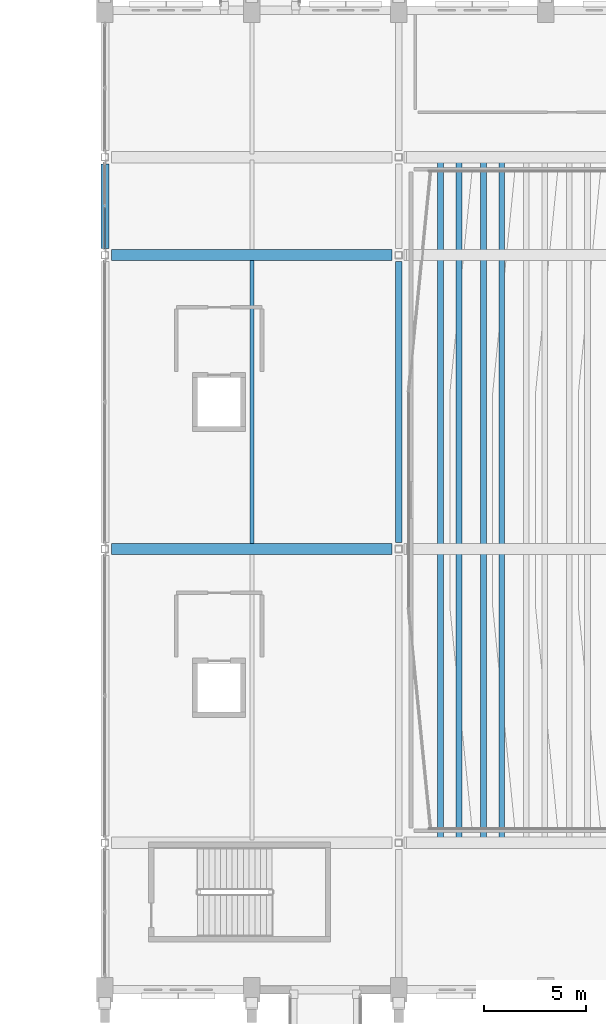
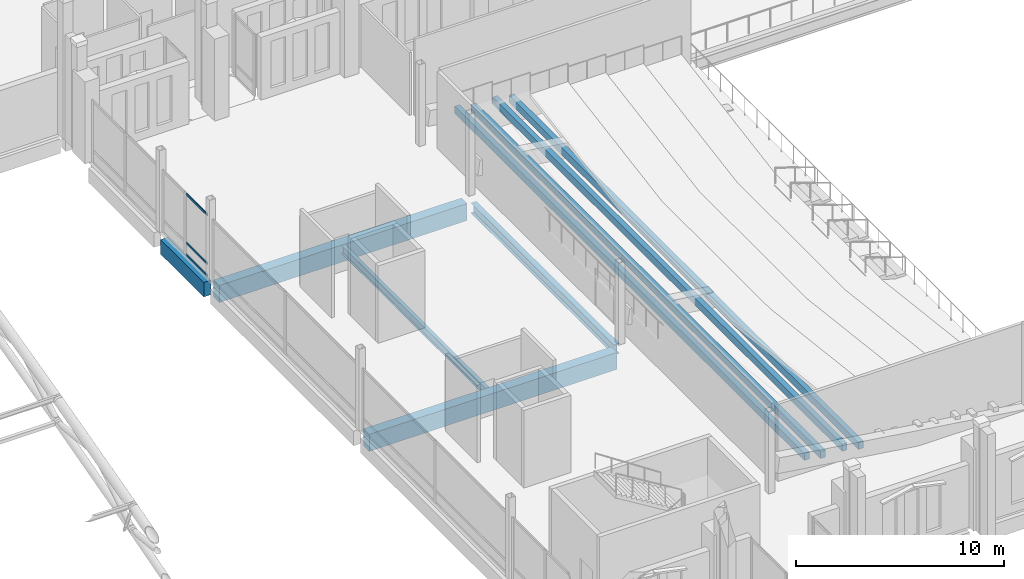
# One storey, part 83 of 193: 9 beams, 3 members, 1 element without a shape of its own.
"""IFC4 building model written with IfcOpenShell, lengths in metres."""

from ifc_helpers import new_model, si_unit, direction, frame, origin, origin_2d, place, context, subcontext, project, spatial, rectangle, hollow_rectangle, i_section, extrude, material, material_profile, profile_set, type_object, element, aggregate, save


model = new_model("IFC4")

# Units and contexts
model_context = context("Model", 3, precision=1e-05, world=origin(), true_north=direction((0.0, 1.0)))
body_context = subcontext(model_context, "Body", "Model", "MODEL_VIEW")
ifc_project = project(units=[si_unit("LENGTHUNIT", "METRE"), si_unit("AREAUNIT", "SQUARE_METRE"), si_unit("VOLUMEUNIT", "CUBIC_METRE"), si_unit("PLANEANGLEUNIT", "RADIAN"), si_unit("MASSUNIT", "GRAM", prefix="KILO")], contexts=[model_context])

# Site, building, storey
site_placement = place(None, origin())
site = spatial("IfcSite", under=ifc_project, at=site_placement, CompositionType="ELEMENT")
building_placement = place(site_placement, origin())
building = spatial("IfcBuilding", under=site, at=building_placement, Name="Cendralis Lancet Convention Centre", CompositionType="ELEMENT")
storey_placement = place(building_placement, frame((0.0, 0.0, 10.199951171875)))
storey = spatial("IfcBuildingStorey", under=building, at=storey_placement, Name="L02", CompositionType="ELEMENT", Elevation=10.199951171875)

# Curtain wall, members
ifc_material_1 = material(Name="Anodised bronze architectural aluminium", Category="aluminium")
curtain_wall_type = type_object("IfcCurtainWallType", Name="ARC-CW-PL02", PredefinedType="USERDEFINED", material=ifc_material_1)
curtain_wall_placement = place(storey_placement, origin())
curtain_wall = element("IfcCurtainWall", 1, at=curtain_wall_placement, inside=storey, type_object=curtain_wall_type, Name="L02 Curtain Wall CW-PL2 #129", ObjectType="CURTAIN WALL", PredefinedType="USERDEFINED")
ifc_material_profile_1 = material_profile(ifc_material_1, hollow_rectangle(XDim=0.06005859375, YDim=0.1201171875, WallThickness=0.00390625, at=origin_2d()), Name="AL-TRAN 60x120x4.0")
ifc_profile_set_1 = profile_set([ifc_material_profile_1], Name="Anodised bronze architectural aluminium")
member_type = type_object("IfcMemberType", Name="ARC-CW-TR01", PredefinedType="USERDEFINED", material=ifc_profile_set_1)
member_1_placement = place(storey_placement, frame((139.199951171875, 79.4951171875, 0.06005859375), z_axis=(0.0, 1.0, 0.0), x_axis=(-1.0, 0.0, 0.0)))
member_1 = element("IfcMember", 2, at=member_1_placement, type_object=member_type, Name="Transom CW2-CW-PL2-L02-129-T0BOT", ObjectType="TRANSOM", PredefinedType="USERDEFINED", context=body_context, shape_type="SweptSolid", body=[
    extrude(hollow_rectangle(XDim=0.06005859375, YDim=0.1201171875, WallThickness=0.00390625, at=origin_2d()), origin(), (0.0, 0.0, 1.0), 2.034912109375),
])
member_2_placement = place(storey_placement, frame((139.199951171875, 79.4951171875, 0.75), z_axis=(0.0, 1.0, 0.0), x_axis=(-1.0, 0.0, 0.0)))
member_2 = element("IfcMember", 3, at=member_2_placement, type_object=member_type, Name="Transom CW2-CW-PL2-L02-129-T0MID", ObjectType="TRANSOM", PredefinedType="USERDEFINED", context=body_context, shape_type="SweptSolid", body=[
    extrude(hollow_rectangle(XDim=0.06005859375, YDim=0.1201171875, WallThickness=0.00390625, at=origin_2d()), origin(), (0.0, 0.0, 1.0), 2.034912109375),
])
member_3_placement = place(storey_placement, frame((139.199951171875, 79.4951171875, 3.614990234375), z_axis=(0.0, 1.0, 0.0), x_axis=(-1.0, 0.0, 0.0)))
member_3 = element("IfcMember", 4, at=member_3_placement, type_object=member_type, Name="Transom CW2-CW-PL2-L02-129-T0TOP", ObjectType="TRANSOM", PredefinedType="USERDEFINED", context=body_context, shape_type="SweptSolid", body=[
    extrude(hollow_rectangle(XDim=0.06005859375, YDim=0.1201171875, WallThickness=0.00390625, at=origin_2d()), origin(), (0.0, 0.0, 1.0), 2.034912109375),
])
aggregate(curtain_wall, [member_1, member_2, member_3])

# Beams
ifc_material_2 = material(Name="Concrete G40 (C40/50)", Category="concrete")
ifc_material_profile_2 = material_profile(ifc_material_2, rectangle(XDim=0.550048828125, YDim=1.0, at=origin_2d()), Name="RCB 550x1000")
ifc_profile_set_2 = profile_set([ifc_material_profile_2], Name="Concrete G40 (C40/50)")
beam_type_1 = type_object("IfcBeamType", Name="STR-BM-BG05", PredefinedType="BEAM", material=ifc_profile_set_2)
for number, where, z_axis, x_axis, name in (
    (5, (139.52490234375, 64.800048828125, -0.800048828125), (1.0, 0.0, 0.0), (0.0, 1.0, 0.0), "L02 Beam BG05 #1470"),
    (6, (139.52490234375, 79.199951171875, -0.800048828125), (1.0, 0.0, 0.0), (0.0, 1.0, 0.0), "L02 Beam BG05 #1472"),
):
    element("IfcBeam", number, at=place(storey_placement, frame(where, z_axis=z_axis, x_axis=x_axis)), inside=storey, type_object=beam_type_1, Name=name, PredefinedType="BEAM", context=body_context, shape_type="SweptSolid", body=[
        extrude(rectangle(XDim=0.550048828125, YDim=1.0, at=origin_2d()), origin(), (0.0, 0.0, 1.0), 13.75),
    ])
ifc_material_3 = material(Name="Steel S355", Category="steel")
ifc_material_profile_3 = material_profile(ifc_material_3, i_section(OverallWidth=0.300048828125, OverallDepth=0.590087890625, WebThickness=0.012939453125, FlangeThickness=0.02490234375, FilletRadius=0.027099609375, at=origin_2d()), Name="HEA 600")
ifc_profile_set_3 = profile_set([ifc_material_profile_3], Name="Steel S355")
beam_type_2 = type_object("IfcBeamType", Name="STR-BM-SG10", PredefinedType="BEAM", material=ifc_profile_set_3)
beam_1_placement = place(storey_placement, frame((153.60009765625, 65.125, -0.594970703125), z_axis=(0.0, 1.0, 0.0), x_axis=(-1.0, 0.0, 0.0)))
element("IfcBeam", 7, at=beam_1_placement, inside=storey, type_object=beam_type_2, Name="L02 Beam SG10 #1484", PredefinedType="BEAM", context=body_context, shape_type="SweptSolid", body=[
    extrude(i_section(OverallWidth=0.300048828125, OverallDepth=0.590087890625, WebThickness=0.012939453125, FlangeThickness=0.02490234375, FilletRadius=0.027099609375, at=origin_2d()), origin(), (0.0, 0.0, 1.0), 13.75),
])
ifc_material_4 = material(Name="Concrete G35 (C35/45)", Category="concrete")
ifc_material_profile_4 = material_profile(ifc_material_4, rectangle(XDim=0.280029296875, YDim=0.419921875, at=origin_2d()), Name="RCB 280x420")
ifc_profile_set_4 = profile_set([ifc_material_profile_4], Name="Concrete G35 (C35/45)")
beam_type_3 = type_object("IfcBeamType", Name="STR-BM-SR01", PredefinedType="BEAM", material=ifc_profile_set_4)
for number, where, z_axis, x_axis, name in (
    (8, (158.64990234375, 50.39990234375, 0.93994140625), (0.0, 1.0, 0.0), (-1.0, 0.0, 0.0), "Plenary Upper Tier Step Beam SR01 R04"),
    (9, (156.550048828125, 50.39990234375, 1.14013671875), (0.0, 1.0, 0.0), (-1.0, 0.0, 0.0), "Plenary Upper Tier Step Beam SR01 R05"),
    (10, (157.75, 50.39990234375, 1.14013671875), (0.0, 1.0, 0.0), (-1.0, 0.0, 0.0), "Plenary Upper Tier Step Beam SR01 R05"),
    (11, (155.64990234375, 50.39990234375, 1.340087890625), (0.0, 1.0, 0.0), (-1.0, 0.0, 0.0), "Plenary Upper Tier Step Beam SR01 R06"),
):
    element("IfcBeam", number, at=place(storey_placement, frame(where, z_axis=z_axis, x_axis=x_axis)), inside=storey, type_object=beam_type_3, Name=name, PredefinedType="BEAM", context=body_context, shape_type="SweptSolid", body=[
        extrude(rectangle(XDim=0.280029296875, YDim=0.419921875, at=origin_2d()), origin(), (0.0, 0.0, 1.0), 33.60009765625),
    ])
ifc_material_profile_5 = material_profile(ifc_material_3, i_section(OverallWidth=0.199951171875, OverallDepth=0.5, WebThickness=0.01025390625, FlangeThickness=0.01611328125, FilletRadius=0.02099609375, at=origin_2d()), Name="IPE 500")
ifc_profile_set_5 = profile_set([ifc_material_profile_5], Name="Steel S355")
beam_type_4 = type_object("IfcBeamType", Name="STR-JS-BJ06", PredefinedType="JOIST", material=ifc_profile_set_5)
beam_2_placement = place(storey_placement, frame((146.39990234375, 65.074951171875, -0.550048828125), z_axis=(0.0, 1.0, 0.0), x_axis=(-1.0, 0.0, 0.0)))
element("IfcBeam", 12, at=beam_2_placement, inside=storey, type_object=beam_type_4, Name="L02 Beam BJ06 #1498", PredefinedType="JOIST", context=body_context, shape_type="SweptSolid", body=[
    extrude(i_section(OverallWidth=0.199951171875, OverallDepth=0.5, WebThickness=0.01025390625, FlangeThickness=0.01611328125, FilletRadius=0.02099609375, at=origin_2d()), origin(), (0.0, 0.0, 1.0), 13.85009765625),
])
ifc_material_profile_6 = material_profile(ifc_material_2, rectangle(XDim=0.39990234375, YDim=0.85009765625, at=origin_2d()), Name="RCB 400x850")
ifc_profile_set_6 = profile_set([ifc_material_profile_6], Name="Concrete G40 (C40/50)")
beam_type_5 = type_object("IfcBeamType", Name="STR-SP-SP02", PredefinedType="SPANDREL", material=ifc_profile_set_6)
beam_3_placement = place(storey_placement, frame((139.199951171875, 79.52490234375, -0.724853515625), z_axis=(0.0, 1.0, 0.0), x_axis=(-1.0, 0.0, 0.0)))
element("IfcBeam", 13, at=beam_3_placement, inside=storey, type_object=beam_type_5, Name="L02 Beam SP02 #1480", PredefinedType="SPANDREL", context=body_context, shape_type="SweptSolid", body=[
    extrude(rectangle(XDim=0.39990234375, YDim=0.85009765625, at=origin_2d()), origin(), (0.0, 0.0, 1.0), 4.150146484375),
])

save(model, "model.ifc")
